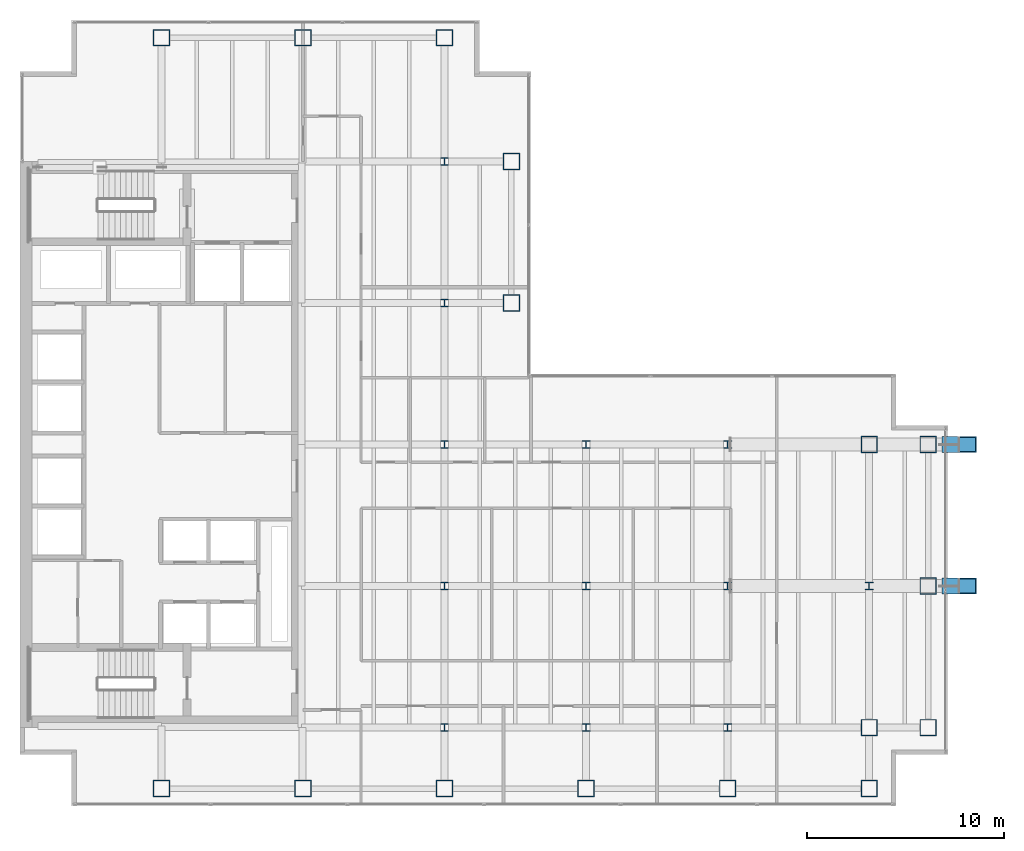
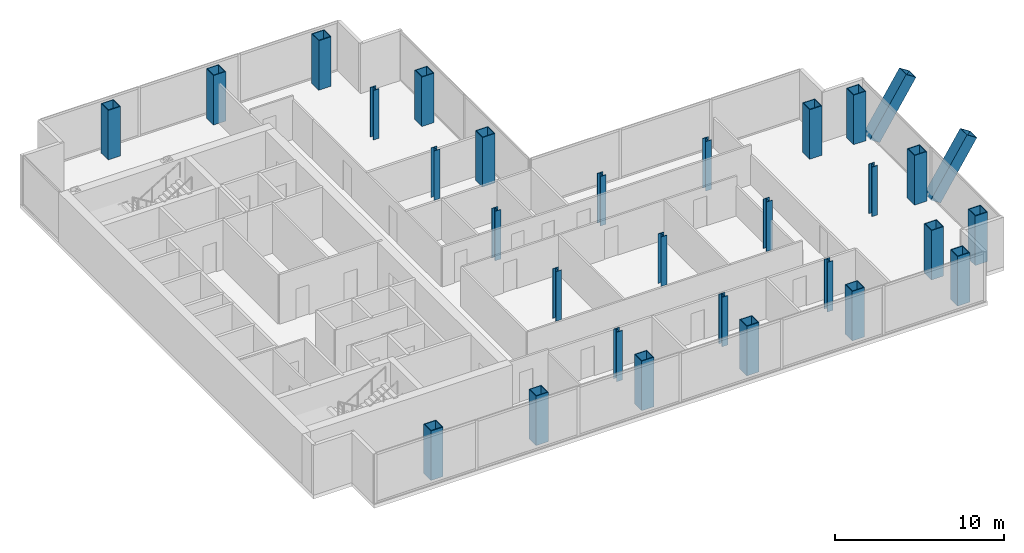
# One storey, part 1 of 23: 30 columns.
"""IFC4 building model written with IfcOpenShell, lengths in metres."""

from ifc_helpers import new_model, si_unit, direction, frame, origin, origin_2d, place, context, subcontext, project, spatial, hollow_rectangle, i_section, extrude, material, material_profile, profile_set, type_object, element, save


model = new_model("IFC4")

# Units and contexts
model_context = context("Model", 3, precision=1e-05, world=origin(), true_north=direction((0.0, 1.0)))
body_context = subcontext(model_context, "Body", "Model", "MODEL_VIEW")
ifc_project = project(units=[si_unit("LENGTHUNIT", "METRE"), si_unit("AREAUNIT", "SQUARE_METRE"), si_unit("VOLUMEUNIT", "CUBIC_METRE"), si_unit("PLANEANGLEUNIT", "RADIAN"), si_unit("MASSUNIT", "GRAM", prefix="KILO")], contexts=[model_context])

# Site, building, storey
site_placement = place(None, origin())
site = spatial("IfcSite", under=ifc_project, at=site_placement, CompositionType="ELEMENT")
building_placement = place(site_placement, origin())
building = spatial("IfcBuilding", under=site, at=building_placement, Name="Cobrela Telecom Tower", CompositionType="ELEMENT")
storey_placement = place(building_placement, frame((0.0, 0.0, 156.10009765625)))
storey = spatial("IfcBuildingStorey", under=building, at=storey_placement, Name="L39", CompositionType="ELEMENT", Elevation=156.10009765625)

# Columns
ifc_material_1 = material(Name="Steel ASTM A992 Grade 50", Category="steel")
ifc_material_profile_1 = material_profile(ifc_material_1, i_section(OverallWidth=0.39892578125, OverallDepth=0.39404296875, WebThickness=0.022705078125, FlangeThickness=0.03662109375, FilletRadius=0.01806640625, at=origin_2d()), Name="W14X193")
ifc_profile_set_1 = profile_set([ifc_material_profile_1], Name="Steel ASTM A992 Grade 50")
column_type_1 = type_object("IfcColumnType", Name="COL-INT-06", PredefinedType="COLUMN", material=ifc_profile_set_1)
for number, where, z_axis, x_axis, name in (
    (1, (21.60009765625, 7.199951171875, 0.0), (0.0, 0.0, 1.0), (1.0, 0.0, 0.0), "L39 Interior Column 06"),
    (2, (21.60009765625, 14.39990234375, 0.0), (0.0, 0.0, 1.0), (1.0, 0.0, 0.0), "L39 Interior Column 07"),
    (3, (21.60009765625, 21.60009765625, 0.0), (0.0, 0.0, 1.0), (1.0, 0.0, 0.0), "L39 Interior Column 08"),
    (4, (21.60009765625, 28.800048828125, 0.0), (0.0, 0.0, 1.0), (1.0, 0.0, 0.0), "L39 Interior Column 09"),
    (5, (21.60009765625, 36.0, 0.0), (0.0, 0.0, 1.0), (1.0, 0.0, 0.0), "L39 Interior Column 10"),
    (6, (28.800048828125, 7.199951171875, 0.0), (0.0, 0.0, 1.0), (1.0, 0.0, 0.0), "L39 Interior Column 15"),
    (7, (28.800048828125, 14.39990234375, 0.0), (0.0, 0.0, 1.0), (1.0, 0.0, 0.0), "L39 Interior Column 16"),
    (8, (28.800048828125, 21.60009765625, 0.0), (0.0, 0.0, 1.0), (1.0, 0.0, 0.0), "L39 Interior Column 17"),
    (9, (36.0, 7.199951171875, 0.0), (0.0, 0.0, 1.0), (1.0, 0.0, 0.0), "L39 Interior Column 19"),
    (10, (36.0, 14.39990234375, 0.0), (0.0, 0.0, 1.0), (1.0, 0.0, 0.0), "L39 Interior Column 20"),
    (11, (36.0, 21.60009765625, 0.0), (0.0, 0.0, 1.0), (1.0, 0.0, 0.0), "L39 Interior Column 21"),
    (12, (43.199951171875, 14.39990234375, 0.0), (0.0, 0.0, 1.0), (1.0, 0.0, 0.0), "L39 Interior Column 24"),
):
    element("IfcColumn", number, at=place(storey_placement, frame(where, z_axis=z_axis, x_axis=x_axis)), inside=storey, type_object=column_type_1, Name=name, PredefinedType="COLUMN", context=body_context, shape_type="SweptSolid", body=[
        extrude(i_section(OverallWidth=0.39892578125, OverallDepth=0.39404296875, WebThickness=0.022705078125, FlangeThickness=0.03662109375, FilletRadius=0.01806640625, at=origin_2d()), origin(), (0.0, 0.0, 1.0), 3.579833984375),
    ])
ifc_material_2 = material(Name="Steel ASTM A572 Grade 50", Category="steel")
ifc_material_profile_2 = material_profile(ifc_material_2, hollow_rectangle(XDim=0.85009765625, YDim=0.85009765625, WallThickness=0.050048828125, at=origin_2d()), Name="BOX 850x850x50")
ifc_profile_set_2 = profile_set([ifc_material_profile_2], Name="Steel ASTM A572 Grade 50")
column_type_2 = type_object("IfcColumnType", Name="COL-MEGA-06", PredefinedType="COLUMN", material=ifc_profile_set_2)
for number, where, z_axis, x_axis, name in (
    (13, (7.199951171875, 4.10009765625, 0.0), (0.0, 0.0, 1.0), (1.0, 0.0, 0.0), "L39 Perimeter Mega-Column 01"),
    (14, (7.199951171875, 42.300048828125, 0.0), (0.0, 0.0, 1.0), (1.0, 0.0, 0.0), "L39 Perimeter Mega-Column 02"),
    (15, (14.39990234375, 4.10009765625, 0.0), (0.0, 0.0, 1.0), (1.0, 0.0, 0.0), "L39 Perimeter Mega-Column 03"),
    (16, (14.39990234375, 42.300048828125, 0.0), (0.0, 0.0, 1.0), (1.0, 0.0, 0.0), "L39 Perimeter Mega-Column 04"),
    (17, (21.60009765625, 4.10009765625, 0.0), (0.0, 0.0, 1.0), (1.0, 0.0, 0.0), "L39 Perimeter Mega-Column 05"),
    (18, (21.60009765625, 42.300048828125, 0.0), (0.0, 0.0, 1.0), (1.0, 0.0, 0.0), "L39 Perimeter Mega-Column 11"),
    (19, (25.0, 28.800048828125, 0.0), (0.0, 0.0, 1.0), (1.0, 0.0, 0.0), "L39 Perimeter Mega-Column 12"),
    (20, (25.0, 36.0, 0.0), (0.0, 0.0, 1.0), (1.0, 0.0, 0.0), "L39 Perimeter Mega-Column 13"),
    (21, (28.800048828125, 4.10009765625, 0.0), (0.0, 0.0, 1.0), (1.0, 0.0, 0.0), "L39 Perimeter Mega-Column 14"),
    (22, (36.0, 4.10009765625, 0.0), (0.0, 0.0, 1.0), (1.0, 0.0, 0.0), "L39 Perimeter Mega-Column 18"),
    (23, (43.199951171875, 4.10009765625, 0.0), (0.0, 0.0, 1.0), (1.0, 0.0, 0.0), "L39 Perimeter Mega-Column 22"),
    (24, (43.199951171875, 7.199951171875, 0.0), (0.0, 0.0, 1.0), (1.0, 0.0, 0.0), "L39 Perimeter Mega-Column 23"),
    (25, (43.199951171875, 21.60009765625, 0.0), (0.0, 0.0, 1.0), (1.0, 0.0, 0.0), "L39 Perimeter Mega-Column 25"),
    (26, (46.199951171875, 7.199951171875, 0.0), (0.0, 0.0, 1.0), (1.0, 0.0, 0.0), "L39 Perimeter Mega-Column 26"),
    (27, (46.199951171875, 14.39990234375, 0.0), (0.0, 0.0, 1.0), (1.0, 0.0, 0.0), "L39 Perimeter Mega-Column 27"),
    (28, (46.199951171875, 21.60009765625, 0.0), (0.0, 0.0, 1.0), (1.0, 0.0, 0.0), "L39 Perimeter Mega-Column 28"),
):
    element("IfcColumn", number, at=place(storey_placement, frame(where, z_axis=z_axis, x_axis=x_axis)), inside=storey, type_object=column_type_2, Name=name, PredefinedType="COLUMN", context=body_context, shape_type="SweptSolid", body=[
        extrude(hollow_rectangle(XDim=0.85009765625, YDim=0.85009765625, WallThickness=0.050048828125, at=origin_2d()), origin(), (0.0, 0.0, 1.0), 3.579833984375),
    ])
ifc_material_profile_3 = material_profile(ifc_material_2, hollow_rectangle(XDim=0.800048828125, YDim=0.800048828125, WallThickness=0.050048828125, at=origin_2d()), Name="BOX 800x800x50")
ifc_profile_set_3 = profile_set([ifc_material_profile_3], Name="Steel ASTM A572 Grade 50")
column_type_3 = type_object("IfcColumnType", Name="COL-SP-STRUT", PredefinedType="COLUMN", material=ifc_profile_set_3)
for number, where, z_axis, x_axis, name in (
    (29, (47.25, 14.39990234375, -0.27001953125), (0.540674004924, 0.0, 0.841232203615), (0.0, 1.0, 0.0), "L39 Sky Pool Raking Mega-Strut Column 1B"),
    (30, (47.25, 21.60009765625, -0.27001953125), (0.540674004924, 0.0, 0.841232203615), (0.0, 1.0, 0.0), "L39 Sky Pool Raking Mega-Strut Column 2B"),
):
    element("IfcColumn", number, at=place(storey_placement, frame(where, z_axis=z_axis, x_axis=x_axis)), inside=storey, type_object=column_type_3, Name=name, PredefinedType="COLUMN", context=body_context, shape_type="SweptSolid", body=[
        extrude(hollow_rectangle(XDim=0.800048828125, YDim=0.800048828125, WallThickness=0.050048828125, at=origin_2d()), origin(), (0.0, 0.0, 1.0), 4.576416015625),
    ])

save(model, "model.ifc")
